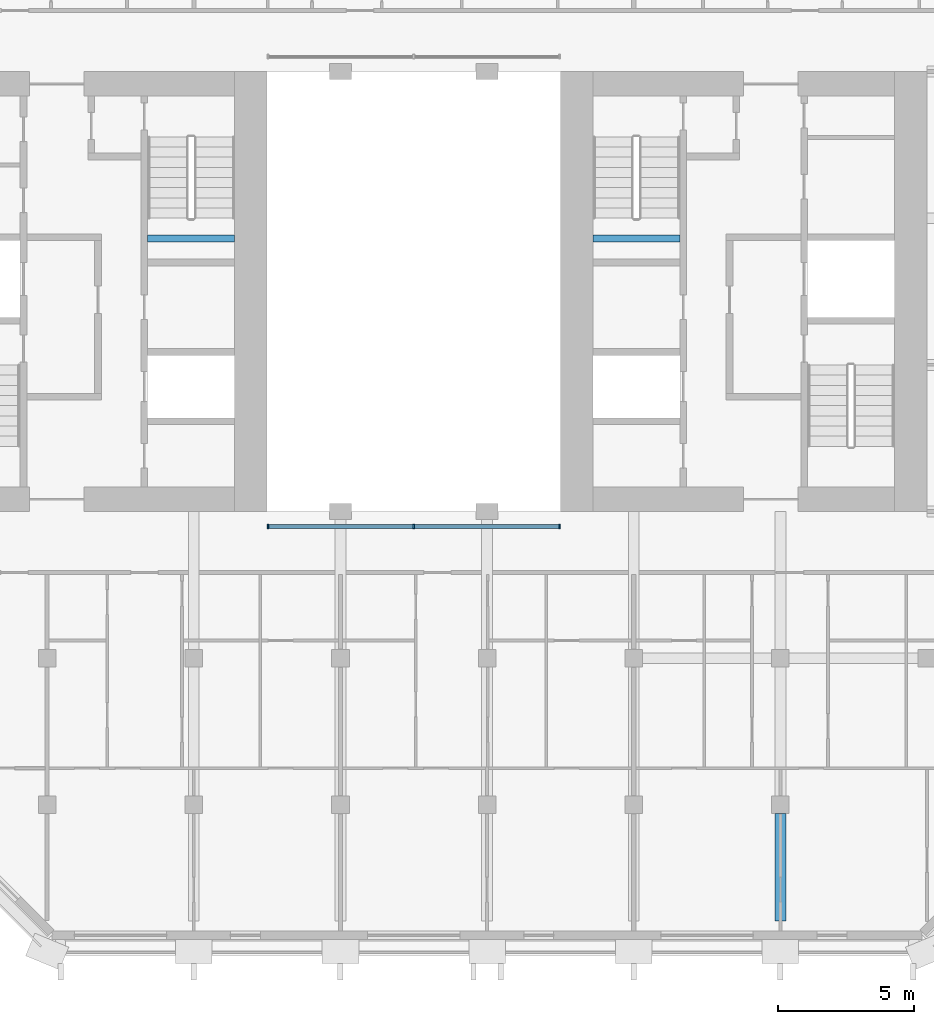
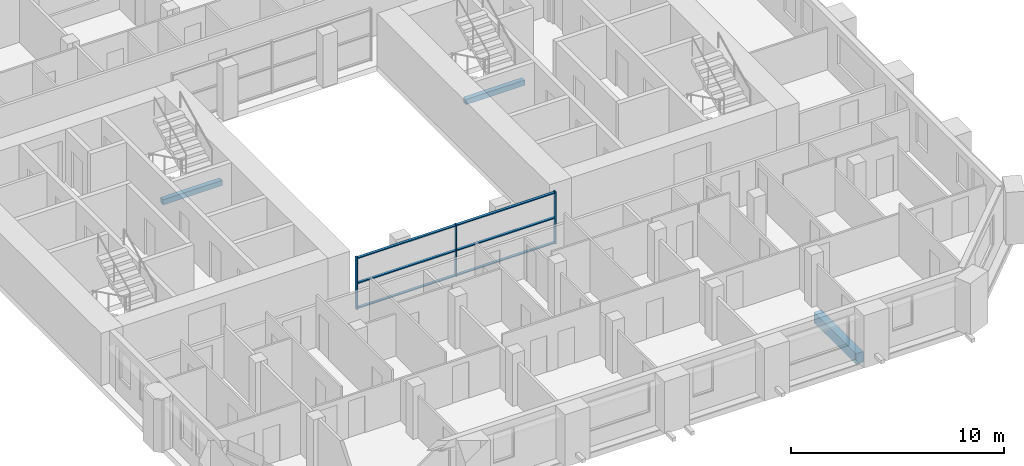
# One storey, part 2 of 13: 9 members, 3 beams, 1 element without a shape of its own.
"""IFC4 building model written with IfcOpenShell, lengths in metres."""

from ifc_helpers import new_model, si_unit, direction, frame, origin, origin_2d, place, context, subcontext, project, spatial, rectangle, extrude, material, material_profile, profile_set, type_object, element, aggregate, save


model = new_model("IFC4")

# Units and contexts
model_context = context("Model", 3, precision=1e-05, world=origin(), true_north=direction((0.0, 1.0)))
body_context = subcontext(model_context, "Body", "Model", "MODEL_VIEW")
ifc_project = project(units=[si_unit("LENGTHUNIT", "METRE"), si_unit("AREAUNIT", "SQUARE_METRE"), si_unit("VOLUMEUNIT", "CUBIC_METRE"), si_unit("PLANEANGLEUNIT", "RADIAN"), si_unit("MASSUNIT", "GRAM", prefix="KILO")], contexts=[model_context])

# Site, building, storey
site_placement = place(None, origin())
site = spatial("IfcSite", under=ifc_project, at=site_placement, CompositionType="ELEMENT")
building_placement = place(site_placement, origin())
building = spatial("IfcBuilding", under=site, at=building_placement, Name="Tabaq Tower and Sports Hall", CompositionType="ELEMENT")
storey_placement = place(building_placement, frame((0.0, 0.0, 271.89990234375)))
storey = spatial("IfcBuildingStorey", under=building, at=storey_placement, Name="L66", CompositionType="ELEMENT", Elevation=271.89990234375)

# Curtain wall, members
ifc_material_1 = material(Name="Aluminium alloy 6063-T6 framed glazing", Category="aluminium")
curtain_wall_type = type_object("IfcCurtainWallType", Name="CW1 curtain wall", PredefinedType="USERDEFINED", material=ifc_material_1)
curtain_wall_placement = place(storey_placement, origin())
curtain_wall = element("IfcCurtainWall", 1, at=curtain_wall_placement, inside=storey, type_object=curtain_wall_type, Name="Atrium glazing L66 S", ObjectType="ATRIUM ENCLOSURE", PredefinedType="USERDEFINED")
ifc_material_2 = material(Name="Aluminium alloy 6063-T6", Category="aluminium")
ifc_material_profile_1 = material_profile(ifc_material_2, rectangle(XDim=0.159912109375, YDim=0.06005859375, at=origin_2d()), Name="MULLION 160x60")
ifc_profile_set_1 = profile_set([ifc_material_profile_1], Name="Aluminium alloy 6063-T6")
member_type_1 = type_object("IfcMemberType", Name="CW1 mullion 160x60", PredefinedType="MULLION", material=ifc_profile_set_1)
member_1_placement = place(storey_placement, frame((18.929931640625, 15.64990234375, 0.0), z_axis=(0.0, 0.0, 1.0), x_axis=(0.0, 1.0, 0.0)))
member_1 = element("IfcMember", 2, at=member_1_placement, type_object=member_type_1, Name="CW1 mullion 1", PredefinedType="MULLION", context=body_context, shape_type="SweptSolid", body=[
    extrude(rectangle(XDim=0.159912109375, YDim=0.06005859375, at=origin_2d()), origin(), (0.0, 0.0, 1.0), 3.0),
])
member_2_placement = place(storey_placement, frame((24.300048828125, 15.64990234375, 0.0), z_axis=(0.0, 0.0, 1.0), x_axis=(0.0, 1.0, 0.0)))
member_2 = element("IfcMember", 3, at=member_2_placement, type_object=member_type_1, Name="CW1 mullion 2", PredefinedType="MULLION", context=body_context, shape_type="SweptSolid", body=[
    extrude(rectangle(XDim=0.159912109375, YDim=0.06005859375, at=origin_2d()), origin(), (0.0, 0.0, 1.0), 3.0),
])
member_3_placement = place(storey_placement, frame((29.669921875, 15.64990234375, 0.0), z_axis=(0.0, 0.0, 1.0), x_axis=(0.0, 1.0, 0.0)))
member_3 = element("IfcMember", 4, at=member_3_placement, type_object=member_type_1, Name="CW1 mullion 3", PredefinedType="MULLION", context=body_context, shape_type="SweptSolid", body=[
    extrude(rectangle(XDim=0.159912109375, YDim=0.06005859375, at=origin_2d()), origin(), (0.0, 0.0, 1.0), 3.0),
])
ifc_material_3 = material(Name="Aluminium alloy 6063-T6", Category="aluminium")
ifc_material_profile_2 = material_profile(ifc_material_3, rectangle(XDim=0.139892578125, YDim=0.06005859375, at=origin_2d()), Name="TRANSOM 140x60")
ifc_profile_set_2 = profile_set([ifc_material_profile_2], Name="Aluminium alloy 6063-T6")
member_type_2 = type_object("IfcMemberType", Name="CW1 transom 140x60", PredefinedType="USERDEFINED", material=ifc_profile_set_2)
member_4_placement = place(storey_placement, frame((18.9599609375, 15.64990234375, 0.070068359375), z_axis=(1.0, 0.0, 0.0), x_axis=(0.0, 1.0, 0.0)))
member_4 = element("IfcMember", 5, at=member_4_placement, type_object=member_type_2, Name="CW1 transom 1.1", ObjectType="TRANSOM", PredefinedType="USERDEFINED", context=body_context, shape_type="SweptSolid", body=[
    extrude(rectangle(XDim=0.139892578125, YDim=0.06005859375, at=origin_2d()), origin(), (0.0, 0.0, 1.0), 5.31005859375),
])
member_5_placement = place(storey_placement, frame((18.9599609375, 15.64990234375, 1.5), z_axis=(1.0, 0.0, 0.0), x_axis=(0.0, 1.0, 0.0)))
member_5 = element("IfcMember", 6, at=member_5_placement, type_object=member_type_2, Name="CW1 transom 1.2", ObjectType="TRANSOM", PredefinedType="USERDEFINED", context=body_context, shape_type="SweptSolid", body=[
    extrude(rectangle(XDim=0.139892578125, YDim=0.06005859375, at=origin_2d()), origin(), (0.0, 0.0, 1.0), 5.31005859375),
])
member_6_placement = place(storey_placement, frame((18.9599609375, 15.64990234375, 2.93017578125), z_axis=(1.0, 0.0, 0.0), x_axis=(0.0, 1.0, 0.0)))
member_6 = element("IfcMember", 7, at=member_6_placement, type_object=member_type_2, Name="CW1 transom 1.3", ObjectType="TRANSOM", PredefinedType="USERDEFINED", context=body_context, shape_type="SweptSolid", body=[
    extrude(rectangle(XDim=0.139892578125, YDim=0.06005859375, at=origin_2d()), origin(), (0.0, 0.0, 1.0), 5.31005859375),
])
member_7_placement = place(storey_placement, frame((24.330078125, 15.64990234375, 0.070068359375), z_axis=(1.0, 0.0, 0.0), x_axis=(0.0, 1.0, 0.0)))
member_7 = element("IfcMember", 8, at=member_7_placement, type_object=member_type_2, Name="CW1 transom 2.1", ObjectType="TRANSOM", PredefinedType="USERDEFINED", context=body_context, shape_type="SweptSolid", body=[
    extrude(rectangle(XDim=0.139892578125, YDim=0.06005859375, at=origin_2d()), origin(), (0.0, 0.0, 1.0), 5.309814453125),
])
member_8_placement = place(storey_placement, frame((24.330078125, 15.64990234375, 1.5), z_axis=(1.0, 0.0, 0.0), x_axis=(0.0, 1.0, 0.0)))
member_8 = element("IfcMember", 9, at=member_8_placement, type_object=member_type_2, Name="CW1 transom 2.2", ObjectType="TRANSOM", PredefinedType="USERDEFINED", context=body_context, shape_type="SweptSolid", body=[
    extrude(rectangle(XDim=0.139892578125, YDim=0.06005859375, at=origin_2d()), origin(), (0.0, 0.0, 1.0), 5.309814453125),
])
member_9_placement = place(storey_placement, frame((24.330078125, 15.64990234375, 2.93017578125), z_axis=(1.0, 0.0, 0.0), x_axis=(0.0, 1.0, 0.0)))
member_9 = element("IfcMember", 10, at=member_9_placement, type_object=member_type_2, Name="CW1 transom 2.3", ObjectType="TRANSOM", PredefinedType="USERDEFINED", context=body_context, shape_type="SweptSolid", body=[
    extrude(rectangle(XDim=0.139892578125, YDim=0.06005859375, at=origin_2d()), origin(), (0.0, 0.0, 1.0), 5.309814453125),
])
aggregate(curtain_wall, [member_1, member_2, member_3, member_4, member_5, member_6, member_7, member_8, member_9])

# Beams
ifc_material_4 = material(Name="Concrete C40/50", Category="concrete")
ifc_material_profile_3 = material_profile(ifc_material_4, rectangle(XDim=0.39990234375, YDim=0.60009765625, at=origin_2d()), Name="CB 400x600")
ifc_profile_set_3 = profile_set([ifc_material_profile_3], Name="Concrete C40/50")
beam_type_1 = type_object("IfcBeamType", Name="PT CANTILEVER BEAM CB 400x600 C40/50", PredefinedType="BEAM", material=ifc_profile_set_3)
beam_1_placement = place(storey_placement, frame((37.800048828125, 1.125, -0.599853515625), z_axis=(0.0, 1.0, 0.0), x_axis=(-1.0, 0.0, 0.0)))
element("IfcBeam", 11, at=beam_1_placement, inside=storey, type_object=beam_type_1, Name="Cantilever Beam L66 S7 span 1", PredefinedType="BEAM", context=body_context, shape_type="SweptSolid", body=[
    extrude(rectangle(XDim=0.39990234375, YDim=0.60009765625, at=origin_2d()), origin(), (0.0, 0.0, 1.0), 3.949951171875),
])
ifc_material_5 = material(Name="Concrete C40/50", Category="concrete")
ifc_material_profile_4 = material_profile(ifc_material_5, rectangle(XDim=0.25, YDim=0.300048828125, at=origin_2d()), Name="RC 250x300")
ifc_profile_set_4 = profile_set([ifc_material_profile_4], Name="Concrete C40/50")
beam_type_2 = type_object("IfcBeamType", Name="Stair landing beam 250x300", PredefinedType="BEAM", material=ifc_profile_set_4)
beam_2_placement = place(storey_placement, frame((14.5, 26.25, 1.300048828125), z_axis=(1.0, 0.0, 0.0), x_axis=(0.0, 1.0, 0.0)))
element("IfcBeam", 12, at=beam_2_placement, inside=storey, type_object=beam_type_2, Name="L66 ST2 landing beam 1", PredefinedType="BEAM", context=body_context, shape_type="SweptSolid", body=[
    extrude(rectangle(XDim=0.25, YDim=0.300048828125, at=origin_2d()), origin(), (0.0, 0.0, 1.0), 3.199951171875),
])
beam_3_placement = place(storey_placement, frame((30.89990234375, 26.25, 1.300048828125), z_axis=(1.0, 0.0, 0.0), x_axis=(0.0, 1.0, 0.0)))
element("IfcBeam", 13, at=beam_3_placement, inside=storey, type_object=beam_type_2, Name="L66 ST4 landing beam 1", PredefinedType="BEAM", context=body_context, shape_type="SweptSolid", body=[
    extrude(rectangle(XDim=0.25, YDim=0.300048828125, at=origin_2d()), origin(), (0.0, 0.0, 1.0), 3.2001953125),
])

save(model, "model.ifc")
